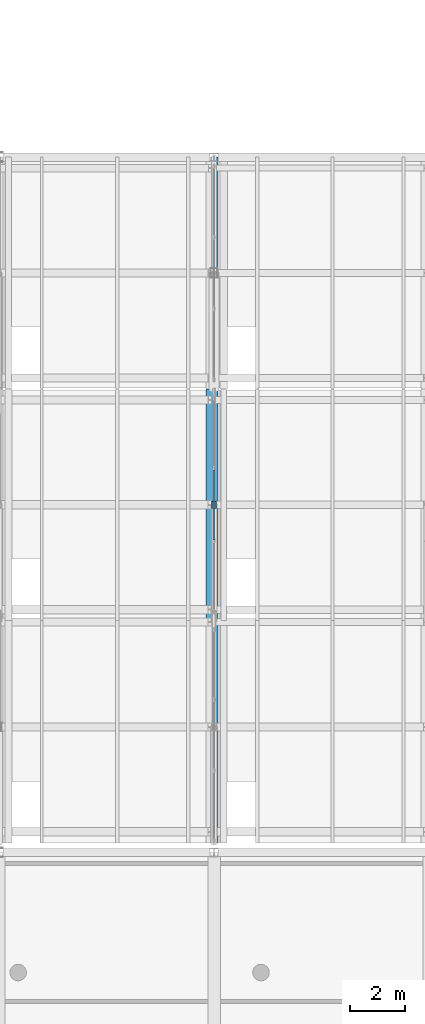
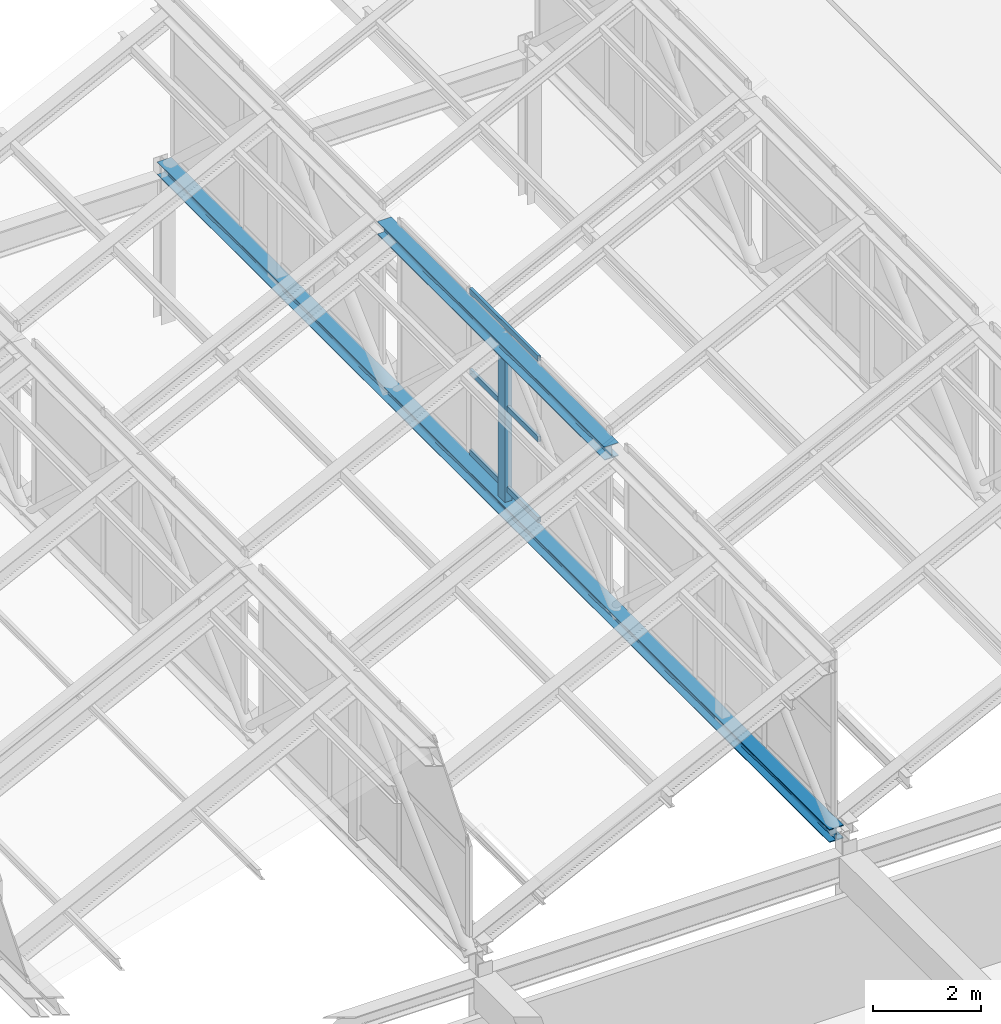
# One storey, part 38 of 101: 6 members, 1 element without a shape of its own.
"""IFC4 building model written with IfcOpenShell, lengths in metres."""

from ifc_helpers import new_model, si_unit, direction, frame, origin, origin_2d, place, context, subcontext, project, spatial, hollow_rectangle, i_section, extrude, material, layer, layer_set, material_profile, profile_set, type_object, element, aggregate, save


model = new_model("IFC4")

# Units and contexts
model_context = context("Model", 3, precision=1e-05, world=origin(), true_north=direction((0.0, 1.0)))
body_context = subcontext(model_context, "Body", "Model", "MODEL_VIEW")
ifc_project = project(units=[si_unit("LENGTHUNIT", "METRE"), si_unit("AREAUNIT", "SQUARE_METRE"), si_unit("VOLUMEUNIT", "CUBIC_METRE"), si_unit("PLANEANGLEUNIT", "RADIAN"), si_unit("MASSUNIT", "GRAM", prefix="KILO")], contexts=[model_context])

# Site, building, storey
site_placement = place(None, origin())
site = spatial("IfcSite", under=ifc_project, at=site_placement, CompositionType="ELEMENT")
building_placement = place(site_placement, origin())
building = spatial("IfcBuilding", under=site, at=building_placement, Name="Zizhar Promenade General Hospital", CompositionType="ELEMENT")
storey_placement = place(building_placement, frame((0.0, 0.0, 14.39990234375)))
storey = spatial("IfcBuildingStorey", under=building, at=storey_placement, Name="L03", CompositionType="ELEMENT", Elevation=14.39990234375)

# Curtain wall, members
ifc_material_1 = material(Name="Anodised aluminium 6063-T6 and low-E glass", Category="aluminium")
ifc_layer = layer(ifc_material_1, 0.159912109375)
ifc_layer_set = layer_set([ifc_layer], Name="Anodised aluminium 6063-T6 and low-E glass")
curtain_wall_type = type_object("IfcCurtainWallType", Name="CW-SAW-NL2", PredefinedType="NOTDEFINED", material=ifc_layer_set)
curtain_wall_placement = place(storey_placement, origin())
curtain_wall = element("IfcCurtainWall", 1, at=curtain_wall_placement, inside=storey, type_object=curtain_wall_type, Name="Sawtooth Clerestory Light B6-S2", PredefinedType="NOTDEFINED")
ifc_material_2 = material(Name="Anodised aluminium 6063-T6", Category="aluminium")
ifc_material_profile_1 = material_profile(ifc_material_2, hollow_rectangle(XDim=0.06005859375, YDim=0.1201171875, WallThickness=0.00390625, at=origin_2d()))
ifc_profile_set_1 = profile_set([ifc_material_profile_1], Name="Anodised aluminium 6063-T6")
member_type_1 = type_object("IfcMemberType", Name="CWT-ALU-120x60", PredefinedType="USERDEFINED", material=ifc_profile_set_1)
member_1_placement = place(storey_placement, frame((117.0, 36.530029296875, 3.880126953125), z_axis=(0.0, 1.0, 0.0), x_axis=(-1.0, 0.0, 0.0)))
member_1 = element("IfcMember", 2, at=member_1_placement, type_object=member_type_1, Name="CW-04 transom 2.1", ObjectType="TRANSOM", PredefinedType="USERDEFINED", context=body_context, shape_type="SweptSolid", body=[
    extrude(hollow_rectangle(XDim=0.06005859375, YDim=0.1201171875, WallThickness=0.00390625, at=origin_2d()), origin(), (0.0, 0.0, 1.0), 2.5400390625),
])
member_2_placement = place(storey_placement, frame((117.0, 36.530029296875, 5.7001953125), z_axis=(0.0, 1.0, 0.0), x_axis=(-1.0, 0.0, 0.0)))
member_2 = element("IfcMember", 3, at=member_2_placement, type_object=member_type_1, Name="CW-04 transom 2.2", ObjectType="TRANSOM", PredefinedType="USERDEFINED", context=body_context, shape_type="SweptSolid", body=[
    extrude(hollow_rectangle(XDim=0.06005859375, YDim=0.1201171875, WallThickness=0.00390625, at=origin_2d()), origin(), (0.0, 0.0, 1.0), 2.5400390625),
])
member_3_placement = place(storey_placement, frame((117.0, 36.530029296875, 7.52001953125), z_axis=(0.0, 1.0, 0.0), x_axis=(-1.0, 0.0, 0.0)))
member_3 = element("IfcMember", 4, at=member_3_placement, type_object=member_type_1, Name="CW-04 transom 2.3", ObjectType="TRANSOM", PredefinedType="USERDEFINED", context=body_context, shape_type="SweptSolid", body=[
    extrude(hollow_rectangle(XDim=0.06005859375, YDim=0.1201171875, WallThickness=0.00390625, at=origin_2d()), origin(), (0.0, 0.0, 1.0), 2.5400390625),
])
aggregate(curtain_wall, [member_1, member_2, member_3])

# Members
ifc_material_3 = material(Name="Steel S355", Category="steel")
ifc_material_profile_2 = material_profile(ifc_material_3, i_section(OverallWidth=0.300048828125, OverallDepth=0.300048828125, WebThickness=0.010986328125, FlangeThickness=0.01904296875, FilletRadius=0.027099609375, at=origin_2d()))
ifc_profile_set_2 = profile_set([ifc_material_profile_2], Name="Steel S355")
member_type_2 = type_object("IfcMemberType", Name="MEM-CHORD-HEB300", PredefinedType="CHORD", material=ifc_profile_set_2)
member_4_placement = place(storey_placement, frame((117.0, 25.550048828125, 3.4501953125), z_axis=(0.0, 1.0, 0.0), x_axis=(-1.0, 0.0, 0.0)))
element("IfcMember", 5, at=member_4_placement, inside=storey, type_object=member_type_2, Name="Sawtooth Truss Frame 7 Bottom Chord", PredefinedType="CHORD", context=body_context, shape_type="SweptSolid", body=[
    extrude(i_section(OverallWidth=0.300048828125, OverallDepth=0.300048828125, WebThickness=0.010986328125, FlangeThickness=0.01904296875, FilletRadius=0.027099609375, at=origin_2d()), origin(), (0.0, 0.0, 1.0), 24.849853515625),
])
member_5_placement = place(storey_placement, frame((116.85009765625, 33.60009765625, 7.25), z_axis=(0.0, 1.0, 0.0), x_axis=(-1.0, 0.0, 0.0)))
element("IfcMember", 6, at=member_5_placement, inside=storey, type_object=member_type_2, Name="Sawtooth Bay 6 Ridge Chord 2", PredefinedType="CHORD", context=body_context, shape_type="SweptSolid", body=[
    extrude(i_section(OverallWidth=0.300048828125, OverallDepth=0.300048828125, WebThickness=0.010986328125, FlangeThickness=0.01904296875, FilletRadius=0.027099609375, at=origin_2d()), origin(), (0.0, 0.0, 1.0), 8.39990234375),
])
ifc_material_4 = material(Name="Steel S355", Category="steel")
ifc_material_profile_3 = material_profile(ifc_material_4, hollow_rectangle(XDim=0.14990234375, YDim=0.25, WallThickness=0.008056640625, at=origin_2d()))
ifc_profile_set_3 = profile_set([ifc_material_profile_3], Name="Steel S355")
member_type_3 = type_object("IfcMemberType", Name="MEM-STRUT-RHS250", PredefinedType="STRUT", material=ifc_profile_set_3)
member_6_placement = place(storey_placement, frame((117.0, 37.800048828125, 3.4501953125), z_axis=(0.0, 0.0, 1.0), x_axis=(1.0, 0.0, 0.0)))
element("IfcMember", 7, at=member_6_placement, inside=storey, type_object=member_type_3, Name="Sawtooth Truss Frame 7 Vertical Post 2", PredefinedType="STRUT", context=body_context, shape_type="SweptSolid", body=[
    extrude(hollow_rectangle(XDim=0.14990234375, YDim=0.25, WallThickness=0.008056640625, at=origin_2d()), origin(), (0.0, 0.0, 1.0), 3.89990234375),
])

save(model, "model.ifc")
